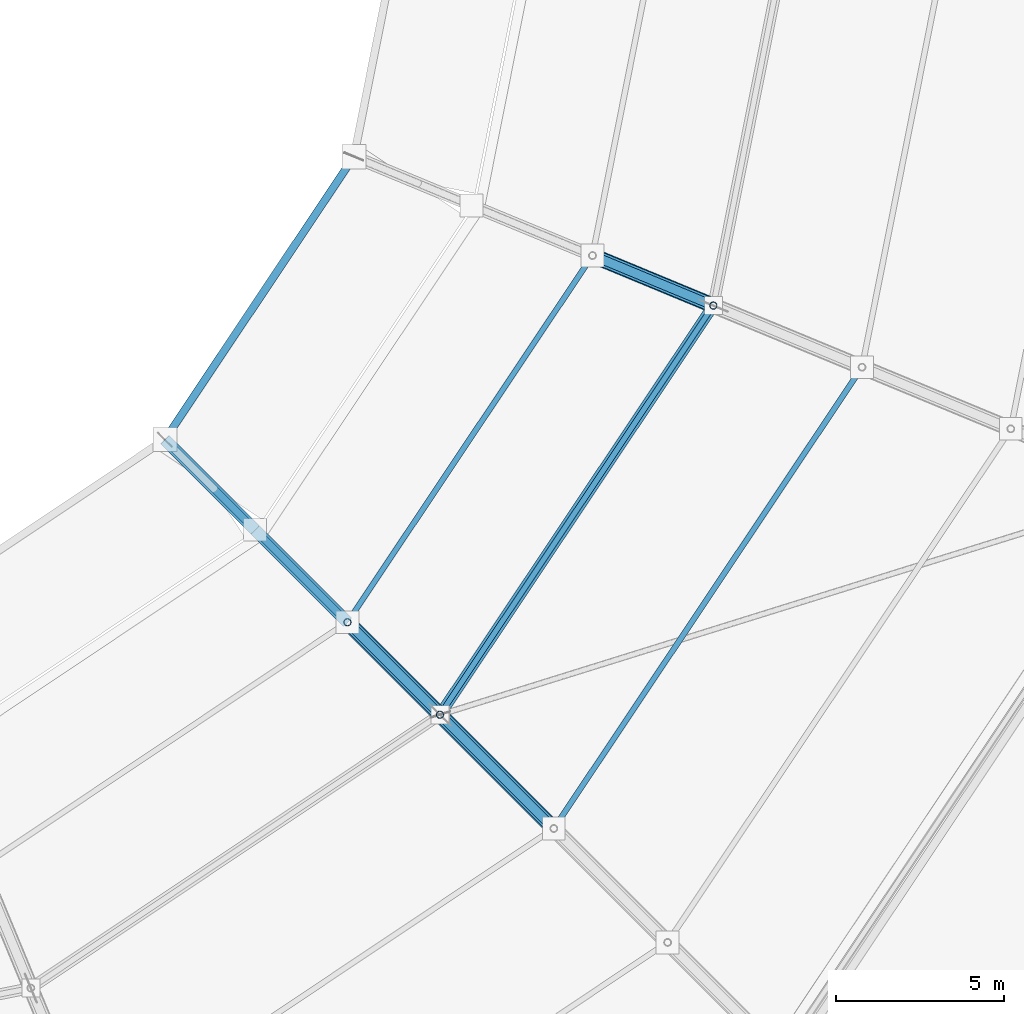
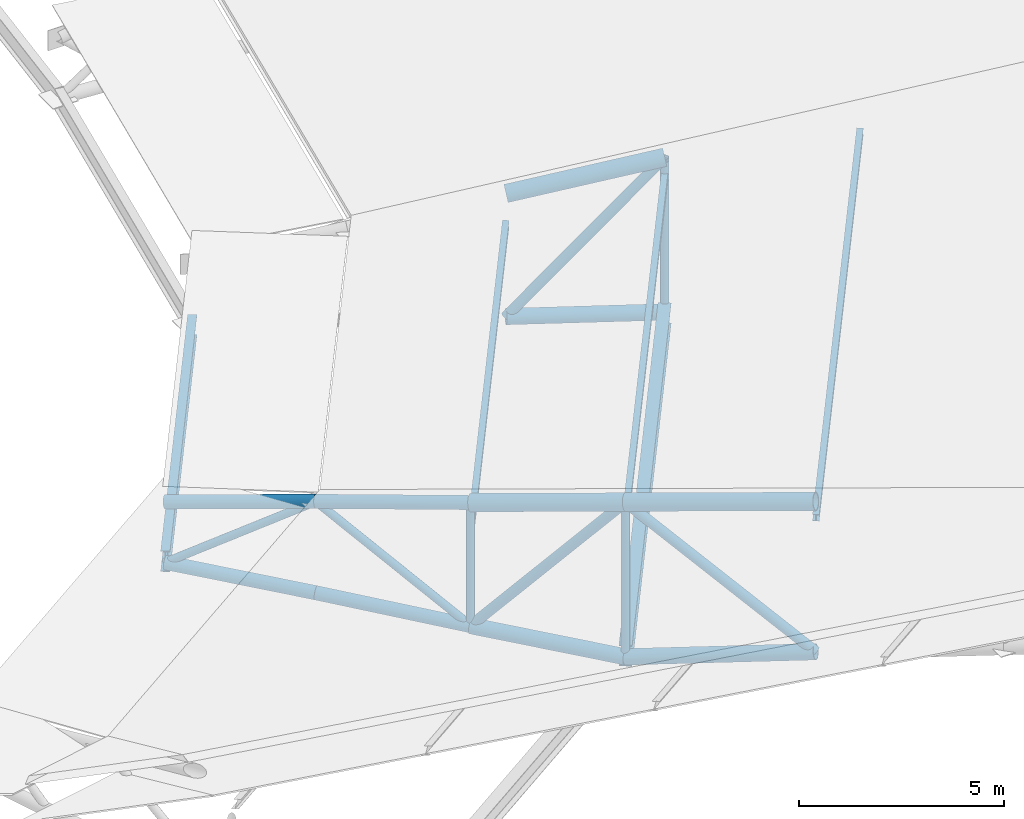
# One storey, part 67 of 146: 21 members, 2 beams.
"""IFC4 building model written with IfcOpenShell, lengths in metres."""

from ifc_helpers import new_model, si_unit, direction, frame, origin, origin_2d, place, context, subcontext, project, spatial, hollow_circle, i_section, extrude, material, material_profile, profile_set, type_object, element, save


model = new_model("IFC4")

# Units and contexts
model_context = context("Model", 3, precision=1e-05, world=origin(), true_north=direction((0.0, 1.0)))
body_context = subcontext(model_context, "Body", "Model", "MODEL_VIEW")
ifc_project = project(units=[si_unit("LENGTHUNIT", "METRE"), si_unit("AREAUNIT", "SQUARE_METRE"), si_unit("VOLUMEUNIT", "CUBIC_METRE"), si_unit("PLANEANGLEUNIT", "RADIAN"), si_unit("MASSUNIT", "GRAM", prefix="KILO")], contexts=[model_context])

# Site, building, storey
site_placement = place(None, origin())
site = spatial("IfcSite", under=ifc_project, at=site_placement, CompositionType="ELEMENT")
building_placement = place(site_placement, origin())
building = spatial("IfcBuilding", under=site, at=building_placement, Name="Candeia Ridge Stadium", CompositionType="ELEMENT")
storey_placement = place(building_placement, frame((0.0, 0.0, 31.800048828125)))
storey = spatial("IfcBuildingStorey", under=building, at=storey_placement, Name="RF", CompositionType="ELEMENT", Elevation=31.800048828125)

# Beams
ifc_material = material(Name="Steel ASTM A572 Grade 50", Category="steel")
ifc_material_profile_1 = material_profile(ifc_material, i_section(OverallWidth=0.324951171875, OverallDepth=0.615966796875, WebThickness=0.013916015625, FlangeThickness=0.021484375, FilletRadius=0.014892578125, at=origin_2d()), Name="W610x174", Category="steel")
ifc_profile_set_1 = profile_set([ifc_material_profile_1], Name="Steel ASTM A572 Grade 50")
beam_type_1 = type_object("IfcBeamType", Name="Roof Compression Ring Beam W610x174", PredefinedType="BEAM", material=ifc_profile_set_1)
beam_1_placement = place(storey_placement, frame((167.609375, 44.446044921875, -2.6640625), z_axis=(0.555568695933, 0.831470639349, 0.0), x_axis=(-0.831470639349, 0.555568695933, 0.0)))
element("IfcBeam", 1, at=beam_1_placement, inside=storey, type_object=beam_type_1, Name="Roof compression ring beam bay 28", PredefinedType="BEAM", context=body_context, shape_type="SweptSolid", body=[
    extrude(i_section(OverallWidth=0.324951171875, OverallDepth=0.615966796875, WebThickness=0.013916015625, FlangeThickness=0.021484375, FilletRadius=0.014892578125, at=origin_2d()), origin(), (0.0, 0.0, 1.0), 14.5908203125),
])
ifc_material_profile_2 = material_profile(ifc_material, i_section(OverallWidth=0.22998046875, OverallDepth=0.616943359375, WebThickness=0.01318359375, FlangeThickness=0.022216796875, FilletRadius=0.014892578125, at=origin_2d()), Name="W610x140", Category="steel")
ifc_profile_set_2 = profile_set([ifc_material_profile_2], Name="Steel ASTM A572 Grade 50")
beam_type_2 = type_object("IfcBeamType", Name="Roof Inner Tension Ring Beam W610x140", PredefinedType="BEAM", material=ifc_profile_set_2)
beam_2_placement = place(storey_placement, frame((159.406982421875, 52.6484375, -1.9599609375), z_axis=(0.555556358418, 0.831478882847, 0.0), x_axis=(-0.831478882847, 0.555556358418, 0.0)))
element("IfcBeam", 2, at=beam_2_placement, inside=storey, type_object=beam_type_2, Name="Roof inner tension ring beam bay 28", PredefinedType="BEAM", context=body_context, shape_type="SweptSolid", body=[
    extrude(i_section(OverallWidth=0.22998046875, OverallDepth=0.616943359375, WebThickness=0.01318359375, FlangeThickness=0.022216796875, FilletRadius=0.014892578125, at=origin_2d()), origin(), (0.0, 0.0, 1.0), 10.064697265625),
])

# Members
ifc_material_profile_3 = material_profile(ifc_material, i_section(OverallWidth=0.1650390625, OverallDepth=0.200927734375, WebThickness=0.006103515625, FlangeThickness=0.01025390625, FilletRadius=0.010009765625, at=origin_2d()), Name="W200x35.9", Category="steel")
ifc_profile_set_3 = profile_set([ifc_material_profile_3], Name="Steel ASTM A572 Grade 50")
member_type_1 = type_object("IfcMemberType", Name="Roof Purlin W200x35.9", PredefinedType="PURLIN", material=ifc_profile_set_3)
member_1_placement = place(storey_placement, frame((164.857177734375, 47.212158203125, 0.3544921875), z_axis=(0.555576353042, 0.831465523002, 0.0), x_axis=(-0.831465523002, 0.555576353042, 0.0)))
element("IfcMember", 3, at=member_1_placement, inside=storey, type_object=member_type_1, Name="Saddle roof steel purlin bay 28-1", PredefinedType="PURLIN", context=body_context, shape_type="SweptSolid", body=[
    extrude(i_section(OverallWidth=0.1650390625, OverallDepth=0.200927734375, WebThickness=0.006103515625, FlangeThickness=0.01025390625, FilletRadius=0.010009765625, at=origin_2d()), origin(), (0.0, 0.0, 1.0), 13.049072265625),
])
member_2_placement = place(storey_placement, frame((167.614990234375, 44.454345703125, 1.416015625), z_axis=(0.555573746016, 0.831467264983, 0.0), x_axis=(-0.831467264983, 0.555573746016, 0.0)))
element("IfcMember", 4, at=member_2_placement, inside=storey, type_object=member_type_1, Name="Saddle roof steel purlin bay 28-2", PredefinedType="PURLIN", context=body_context, shape_type="SweptSolid", body=[
    extrude(i_section(OverallWidth=0.1650390625, OverallDepth=0.200927734375, WebThickness=0.006103515625, FlangeThickness=0.01025390625, FilletRadius=0.010009765625, at=origin_2d()), origin(), (0.0, 0.0, 1.0), 14.57080078125),
])
member_3_placement = place(storey_placement, frame((171.009033203125, 41.060302734375, 2.303955078125), z_axis=(0.555577006671, 0.831465086253, 0.0), x_axis=(-0.831465086253, 0.555577006671, 0.0)))
element("IfcMember", 5, at=member_3_placement, inside=storey, type_object=member_type_1, Name="Saddle roof steel purlin bay 28-3", PredefinedType="PURLIN", context=body_context, shape_type="SweptSolid", body=[
    extrude(i_section(OverallWidth=0.1650390625, OverallDepth=0.200927734375, WebThickness=0.006103515625, FlangeThickness=0.01025390625, FilletRadius=0.010009765625, at=origin_2d()), origin(), (0.0, 0.0, 1.0), 16.443603515625),
])
ifc_material_profile_4 = material_profile(ifc_material, hollow_circle(Radius=0.136474609375, WallThickness=0.010009765625, at=origin_2d()), Name="CHS273x10", Category="steel")
ifc_profile_set_4 = profile_set([ifc_material_profile_4], Name="Steel ASTM A572 Grade 50")
member_type_2 = type_object("IfcMemberType", Name="Roof Truss Heavy Web Brace CHS273x10", PredefinedType="BRACE", material=ifc_profile_set_4)
member_4_placement = place(storey_placement, frame((164.82958984375, 47.17041015625, -2.444091796875), z_axis=(0.470203340341, -0.470203340341, 0.746871901643), x_axis=(0.707106781187, 0.707106781187, 0.0)))
element("IfcMember", 6, at=member_4_placement, inside=storey, type_object=member_type_2, Name="Roof cantilever truss RT-28 diagonal web 3", PredefinedType="BRACE", context=body_context, shape_type="SweptSolid", body=[
    extrude(hollow_circle(Radius=0.136474609375, WallThickness=0.010009765625, at=origin_2d()), origin(), (0.0, 0.0, 1.0), 5.86474609375),
])
member_5_placement = place(storey_placement, frame((167.587158203125, 44.412841796875, 1.93603515625), z_axis=(0.566892118006, -0.566892118006, -0.597717870809), x_axis=(0.707106781187, 0.707106781187, 0.0)))
element("IfcMember", 7, at=member_5_placement, inside=storey, type_object=member_type_2, Name="Roof cantilever truss RT-28 diagonal web 4", PredefinedType="BRACE", context=body_context, shape_type="SweptSolid", body=[
    extrude(hollow_circle(Radius=0.136474609375, WallThickness=0.010009765625, at=origin_2d()), origin(), (0.0, 0.0, 1.0), 5.987548828125),
])
member_6_placement = place(storey_placement, frame((172.134765625, 58.103515625, -2.444091796875), z_axis=(0.61435865685, -0.254477196729, 0.746863305498), x_axis=(0.382685369162, 0.923878730261, 0.0)))
element("IfcMember", 8, at=member_6_placement, inside=storey, type_object=member_type_2, Name="Roof cantilever truss RT-29 diagonal web 3", PredefinedType="BRACE", context=body_context, shape_type="SweptSolid", body=[
    extrude(hollow_circle(Radius=0.136474609375, WallThickness=0.010009765625, at=origin_2d()), origin(), (0.0, 0.0, 1.0), 5.86474609375),
])
ifc_material_profile_5 = material_profile(ifc_material, hollow_circle(Radius=0.109619140625, WallThickness=0.010009765625, at=origin_2d()), Name="CHS219x10", Category="steel")
ifc_profile_set_5 = profile_set([ifc_material_profile_5], Name="Steel ASTM A572 Grade 50")
member_type_3 = type_object("IfcMemberType", Name="Roof Truss Inner Web Brace CHS219x10", PredefinedType="BRACE", material=ifc_profile_set_5)
member_7_placement = place(storey_placement, frame((159.384765625, 52.615234375, -1.9599609375), z_axis=(0.590520351297, -0.590520351297, 0.550064931992), x_axis=(0.707106781187, 0.707106781187, 0.0)))
element("IfcMember", 9, at=member_7_placement, inside=storey, type_object=member_type_3, Name="Roof cantilever truss RT-28 diagonal web 1", PredefinedType="BRACE", context=body_context, shape_type="SweptSolid", body=[
    extrude(hollow_circle(Radius=0.109619140625, WallThickness=0.010009765625, at=origin_2d()), origin(), (0.0, 0.0, 1.0), 4.55029296875),
])
member_8_placement = place(storey_placement, frame((162.07177734375, 49.92822265625, 0.54296875), z_axis=(0.561375904799, -0.561375904799, -0.608041270822), x_axis=(0.707106781187, 0.707106781187, 0.0)))
element("IfcMember", 10, at=member_8_placement, inside=storey, type_object=member_type_3, Name="Roof cantilever truss RT-28 diagonal web 2", PredefinedType="BRACE", context=body_context, shape_type="SweptSolid", body=[
    extrude(hollow_circle(Radius=0.109619140625, WallThickness=0.010009765625, at=origin_2d()), origin(), (0.0, 0.0, 1.0), 4.91259765625),
])
member_9_placement = place(storey_placement, frame((164.82958984375, 47.17041015625, -2.444091796875), z_axis=(0.0, 0.0, 1.0), x_axis=(1.0, 0.0, 0.0)))
element("IfcMember", 11, at=member_9_placement, inside=storey, type_object=member_type_3, Name="Roof cantilever truss RT-28 vertical post 2", PredefinedType="BRACE", context=body_context, shape_type="SweptSolid", body=[
    extrude(hollow_circle(Radius=0.109619140625, WallThickness=0.010009765625, at=origin_2d()), origin(), (0.0, 0.0, 1.0), 3.658447265625),
])
for number, where, z_axis, x_axis, name in (
    (12, (167.587158203125, 44.412841796875, -2.6640625), (0.0, 0.0, 1.0), (1.0, 0.0, 0.0), "Roof cantilever truss RT-28 vertical post 3"),
    (13, (175.73779296875, 56.611083984375, -2.6640625), (0.0, 0.0, 1.0), (1.0, 0.0, 0.0), "Roof cantilever truss RT-29 vertical post 3"),
):
    element("IfcMember", number, at=place(storey_placement, frame(where, z_axis=z_axis, x_axis=x_axis)), inside=storey, type_object=member_type_3, Name=name, PredefinedType="BRACE", context=body_context, shape_type="SweptSolid", body=[
        extrude(hollow_circle(Radius=0.109619140625, WallThickness=0.010009765625, at=origin_2d()), origin(), (0.0, 0.0, 1.0), 4.60009765625),
    ])
ifc_material_profile_6 = material_profile(ifc_material, hollow_circle(Radius=0.228515625, WallThickness=0.02001953125, at=origin_2d()), Name="CHS457x20", Category="steel")
ifc_profile_set_6 = profile_set([ifc_material_profile_6], Name="Steel ASTM A572 Grade 50")
member_type_4 = type_object("IfcMemberType", Name="Roof Truss Main Chord CHS457x20", PredefinedType="CHORD", material=ifc_profile_set_6)
member_10_placement = place(storey_placement, frame((164.82958984375, 47.17041015625, 1.21435546875), z_axis=(0.695301449045, -0.695301449045, 0.181966452712), x_axis=(0.707106781187, 0.707106781187, 0.0)))
element("IfcMember", 14, at=member_10_placement, inside=storey, type_object=member_type_4, Name="Roof cantilever truss RT-28 top chord 3", PredefinedType="CHORD", context=body_context, shape_type="SweptSolid", body=[
    extrude(hollow_circle(Radius=0.228515625, WallThickness=0.02001953125, at=origin_2d()), origin(), (0.0, 0.0, 1.0), 3.966064453125),
])
member_11_placement = place(storey_placement, frame((167.587158203125, 44.412841796875, 1.93603515625), z_axis=(0.695311168341, -0.695311168341, 0.18189216135), x_axis=(0.707106781187, 0.707106781187, 0.0)))
element("IfcMember", 15, at=member_11_placement, inside=storey, type_object=member_type_4, Name="Roof cantilever truss RT-28 top chord 4", PredefinedType="CHORD", context=body_context, shape_type="SweptSolid", body=[
    extrude(hollow_circle(Radius=0.228515625, WallThickness=0.02001953125, at=origin_2d()), origin(), (0.0, 0.0, 1.0), 4.881591796875),
])
member_12_placement = place(storey_placement, frame((172.134765625, 58.103515625, 1.21435546875), z_axis=(0.908455116829, -0.376296661416, 0.181961873245), x_axis=(0.382685369162, 0.923878730261, 0.0)))
element("IfcMember", 16, at=member_12_placement, inside=storey, type_object=member_type_4, Name="Roof cantilever truss RT-29 top chord 3", PredefinedType="CHORD", context=body_context, shape_type="SweptSolid", body=[
    extrude(hollow_circle(Radius=0.228515625, WallThickness=0.02001953125, at=origin_2d()), origin(), (0.0, 0.0, 1.0), 3.966064453125),
])
ifc_material_profile_7 = material_profile(ifc_material, hollow_circle(Radius=0.202880859375, WallThickness=0.01611328125, at=origin_2d()), Name="CHS406x16", Category="steel")
ifc_profile_set_7 = profile_set([ifc_material_profile_7], Name="Steel ASTM A572 Grade 50")
member_type_5 = type_object("IfcMemberType", Name="Roof Truss Outer Chord CHS406x16", PredefinedType="CHORD", material=ifc_profile_set_7)
member_13_placement = place(storey_placement, frame((164.82958984375, 47.17041015625, -2.444091796875), z_axis=(0.705984588812, -0.705984588812, -0.056316256266), x_axis=(0.707106781187, 0.707106781187, 0.0)))
element("IfcMember", 17, at=member_13_placement, inside=storey, type_object=member_type_5, Name="Roof cantilever truss RT-28 bottom chord 3", PredefinedType="CHORD", context=body_context, shape_type="SweptSolid", body=[
    extrude(hollow_circle(Radius=0.202880859375, WallThickness=0.01611328125, at=origin_2d()), origin(), (0.0, 0.0, 1.0), 3.906005859375),
])
member_14_placement = place(storey_placement, frame((167.587158203125, 44.412841796875, -2.6640625), z_axis=(0.69162794184, -0.69162794184, 0.208090317249), x_axis=(0.707106781187, 0.707106781187, 0.0)))
element("IfcMember", 18, at=member_14_placement, inside=storey, type_object=member_type_5, Name="Roof cantilever truss RT-28 bottom chord 4", PredefinedType="CHORD", context=body_context, shape_type="SweptSolid", body=[
    extrude(hollow_circle(Radius=0.202880859375, WallThickness=0.01611328125, at=origin_2d()), origin(), (0.0, 0.0, 1.0), 4.90771484375),
])
member_15_placement = place(storey_placement, frame((172.134765625, 58.103515625, -2.444091796875), z_axis=(0.922412592682, -0.382078071491, -0.056314795095), x_axis=(0.382685369162, 0.923878730261, 0.0)))
element("IfcMember", 19, at=member_15_placement, inside=storey, type_object=member_type_5, Name="Roof cantilever truss RT-29 bottom chord 3", PredefinedType="CHORD", context=body_context, shape_type="SweptSolid", body=[
    extrude(hollow_circle(Radius=0.202880859375, WallThickness=0.01611328125, at=origin_2d()), origin(), (0.0, 0.0, 1.0), 3.906005859375),
])
ifc_material_profile_8 = material_profile(ifc_material, hollow_circle(Radius=0.177734375, WallThickness=0.01416015625, at=origin_2d()), Name="CHS355x14", Category="steel")
ifc_profile_set_8 = profile_set([ifc_material_profile_8], Name="Steel ASTM A572 Grade 50")
member_type_6 = type_object("IfcMemberType", Name="Roof Truss Tip Chord CHS355x14", PredefinedType="CHORD", material=ifc_profile_set_8)
member_16_placement = place(storey_placement, frame((159.384765625, 52.615234375, -0.16015625), z_axis=(0.69530437574, -0.69530437574, 0.181944085238), x_axis=(0.707106781187, 0.707106781187, 0.0)))
element("IfcMember", 20, at=member_16_placement, inside=storey, type_object=member_type_6, Name="Roof cantilever truss RT-28 top chord 1", PredefinedType="CHORD", context=body_context, shape_type="SweptSolid", body=[
    extrude(hollow_circle(Radius=0.177734375, WallThickness=0.01416015625, at=origin_2d()), origin(), (0.0, 0.0, 1.0), 3.864501953125),
])
member_17_placement = place(storey_placement, frame((159.384765625, 52.615234375, -1.9599609375), z_axis=(0.70598445243, -0.70598445243, -0.056319675562), x_axis=(0.707106781187, 0.707106781187, 0.0)))
element("IfcMember", 21, at=member_17_placement, inside=storey, type_object=member_type_6, Name="Roof cantilever truss RT-28 bottom chord 1", PredefinedType="CHORD", context=body_context, shape_type="SweptSolid", body=[
    extrude(hollow_circle(Radius=0.177734375, WallThickness=0.01416015625, at=origin_2d()), origin(), (0.0, 0.0, 1.0), 3.80615234375),
])
member_18_placement = place(storey_placement, frame((162.07177734375, 49.92822265625, 0.54296875), z_axis=(0.696856933959, -0.696856933959, 0.169649129638), x_axis=(0.707106781187, 0.707106781187, 0.0)))
element("IfcMember", 22, at=member_18_placement, inside=storey, type_object=member_type_6, Name="Roof cantilever truss RT-28 top chord 2", PredefinedType="CHORD", context=body_context, shape_type="SweptSolid", body=[
    extrude(hollow_circle(Radius=0.177734375, WallThickness=0.01416015625, at=origin_2d()), origin(), (0.0, 0.0, 1.0), 3.95751953125),
])
member_19_placement = place(storey_placement, frame((162.07177734375, 49.92822265625, -2.17431640625), z_axis=(0.705421217508, -0.705421217508, -0.069005882201), x_axis=(0.707106781187, 0.707106781187, 0.0)))
element("IfcMember", 23, at=member_19_placement, inside=storey, type_object=member_type_6, Name="Roof cantilever truss RT-28 bottom chord 2", PredefinedType="CHORD", context=body_context, shape_type="SweptSolid", body=[
    extrude(hollow_circle(Radius=0.177734375, WallThickness=0.01416015625, at=origin_2d()), origin(), (0.0, 0.0, 1.0), 3.909423828125),
])

save(model, "model.ifc")
